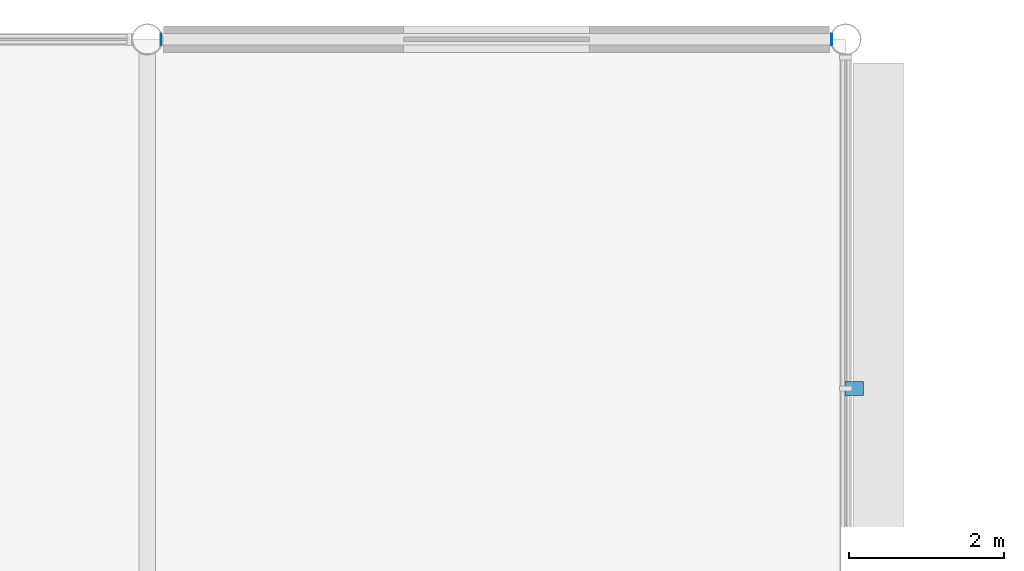
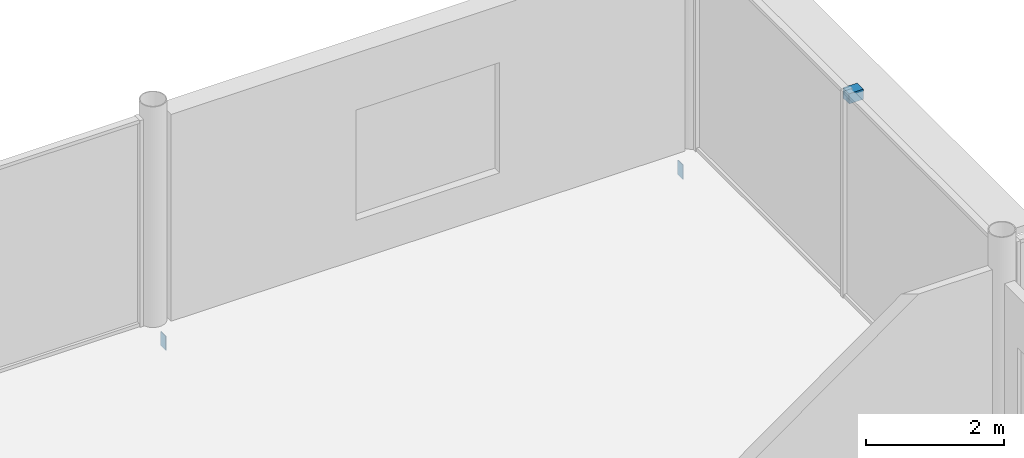
# One storey, part 70 of 96: 3 discrete accessories.
"""IFC4 building model written with IfcOpenShell, lengths in metres."""

from ifc_helpers import new_model, si_unit, direction, frame, origin, origin_2d, place, context, subcontext, project, spatial, polyline, rectangle, outline, extrude, material, layer, layer_set, type_object, element, save


model = new_model("IFC4")

# Units and contexts
model_context = context("Model", 3, precision=1e-05, world=origin(), true_north=direction((0.0, 1.0)))
body_context = subcontext(model_context, "Body", "Model", "MODEL_VIEW")
ifc_project = project(units=[si_unit("LENGTHUNIT", "METRE"), si_unit("AREAUNIT", "SQUARE_METRE"), si_unit("VOLUMEUNIT", "CUBIC_METRE"), si_unit("PLANEANGLEUNIT", "RADIAN"), si_unit("MASSUNIT", "GRAM", prefix="KILO")], contexts=[model_context])

# Site, building, storey
site_placement = place(None, origin())
site = spatial("IfcSite", under=ifc_project, at=site_placement, CompositionType="ELEMENT")
building_placement = place(site_placement, origin())
building = spatial("IfcBuilding", under=site, at=building_placement, Name="Kisiwana Market Hall", CompositionType="ELEMENT")
storey_placement = place(building_placement, frame((0.0, 0.0, 25.5)))
storey = spatial("IfcBuildingStorey", under=building, at=storey_placement, Name="L05", CompositionType="ELEMENT", Elevation=25.5)

# Discrete accessories
ifc_material_1 = material(Name="Steel S355", Category="steel")
discrete_accessory_type_1 = type_object("IfcDiscreteAccessoryType", Name="ACC-BRACKET-STL", PredefinedType="BRACKET", material=ifc_material_1)
discrete_accessory_1_placement = place(storey_placement, frame((45.110107421875, 106.5, 3.44482421875), z_axis=(0.0, 0.0, 1.0), x_axis=(0.0, 1.0, 0.0)))
element("IfcDiscreteAccessory", 1, at=discrete_accessory_1_placement, inside=storey, type_object=discrete_accessory_type_1, Name="Sunshade steel bracket BRK-095", PredefinedType="BRACKET", context=body_context, shape_type="SweptSolid", body=[
    extrude(rectangle(XDim=0.179931640625, YDim=0.239990234375, at=origin_2d()), origin(), (0.0, 0.0, 1.0), 0.179931640625),
])
ifc_material_2 = material(Name="Steel S355", Category="steel")
ifc_layer = layer(ifc_material_2, 0.011962890625)
ifc_layer_set = layer_set([ifc_layer], Name="ACC-ENDCAP-STL")
discrete_accessory_type_2 = type_object("IfcDiscreteAccessoryType", Name="ACC-ENDCAP-STL", PredefinedType="USERDEFINED", material=ifc_layer_set)
discrete_accessory_2_placement = place(storey_placement, frame((0.0, 0.0, -0.56494140625)))
element("IfcDiscreteAccessory", 2, at=discrete_accessory_2_placement, inside=storey, type_object=discrete_accessory_type_2, Name="End cap plate EC-0078", ObjectType="End cap plate", PredefinedType="USERDEFINED", context=body_context, shape_type="SweptSolid", body=[
    extrude(outline(polyline([(44.817626953125, 110.925048828125), (44.82958984375, 110.925048828125), (44.82958984375, 111.074951171875), (44.817626953125, 111.074951171875), (44.817626953125, 110.925048828125)])), origin(), (0.0, 0.0, 1.0), 0.25),
])
discrete_accessory_3_placement = place(storey_placement, frame((0.0, 0.0, -0.56494140625)))
element("IfcDiscreteAccessory", 3, at=discrete_accessory_3_placement, inside=storey, type_object=discrete_accessory_type_2, Name="End cap plate EC-0079", ObjectType="End cap plate", PredefinedType="USERDEFINED", context=body_context, shape_type="SweptSolid", body=[
    extrude(outline(polyline([(36.182373046875, 110.925048828125), (36.182373046875, 111.074951171875), (36.17041015625, 111.074951171875), (36.17041015625, 110.925048828125), (36.182373046875, 110.925048828125)])), origin(), (0.0, 0.0, 1.0), 0.25),
])

save(model, "model.ifc")
